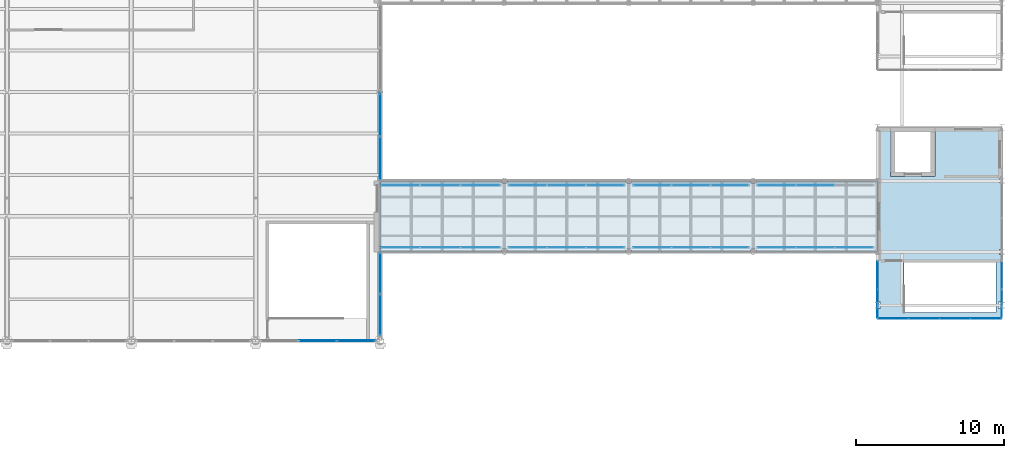
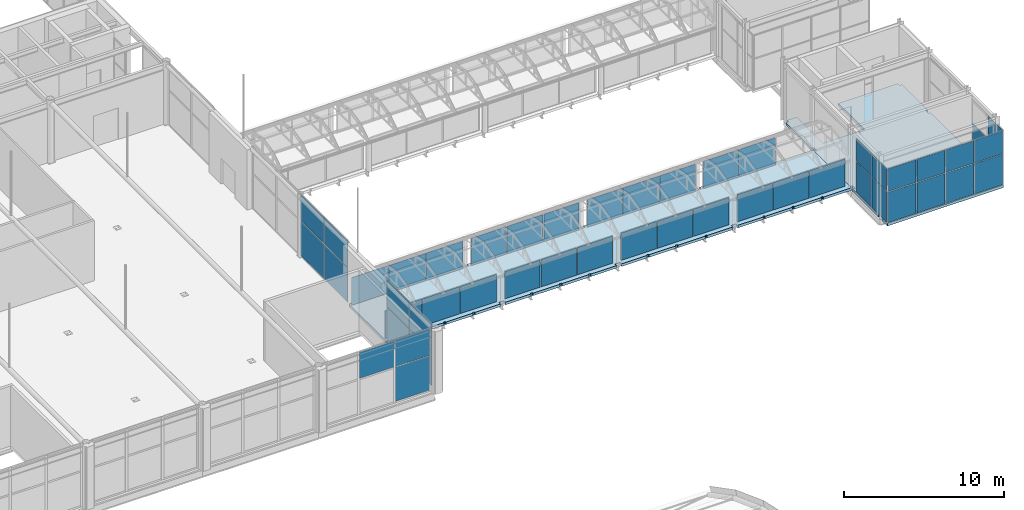
# One storey, part 143 of 167: 49 plates, 2 slabs, 14 elements without a shape of their own.
"""IFC4 building model written with IfcOpenShell, lengths in metres."""

import ifcopenshell
import ifcopenshell.guid

model = None  # the IFC model being written
_history = None  # IfcOwnerHistory: only IFC2X3 demands one
_inside = {}  # id of a spatial element -> (the spatial element, [elements in it])
_under = {}  # id of a project, library or spatial element -> (it, [spatial elements below it])
_declared = {}  # id of a project -> (the project, [libraries it declares])
_typed = {}  # id of a type object -> (the type object, [elements of that type])
_made_of = {}  # id of a material, layer set ... -> (it, [elements and type objects made of it])


def new_model(schema):
    """Start an empty IFC model of exactly this schema.

    Asked for "IFC4X3", IfcOpenShell would pick the latest addendum, in which some entities
    have other attributes; the version numbers below select the first issue.
    IFC2X3 requires an IfcOwnerHistory on every rooted entity: one is made here for all.
    """
    global model, _history
    if schema == "IFC4X3":
        model = ifcopenshell.file(schema_version=(4, 3, 0, 0))
    else:
        model = ifcopenshell.file(schema=schema)
    _inside.clear()
    _under.clear()
    _declared.clear()
    _typed.clear()
    _made_of.clear()
    _history = None
    if model.schema == "IFC2X3":
        org = make("IfcOrganization", Name="unknown")
        user = make(
            "IfcPersonAndOrganization",
            ThePerson=make("IfcPerson", FamilyName="unknown"),
            TheOrganization=org,
        )
        app = make(
            "IfcApplication",
            ApplicationDeveloper=org,
            Version="unknown",
            ApplicationFullName="unknown",
            ApplicationIdentifier="unknown",
        )
        _history = make(
            "IfcOwnerHistory",
            OwningUser=user,
            OwningApplication=app,
            ChangeAction="ADDED",
            CreationDate=0,
        )
    return model


def make(cls, **values):
    """One entity of the class cls with the attributes given. An attribute that is None is left unset."""
    return model.create_entity(
        cls, **{name: value for name, value in values.items() if value is not None}
    )


def rooted(cls, **values):
    """An entity with a GlobalId (a new one), such as an element, a storey or a relation."""
    return make(cls, GlobalId=ifcopenshell.guid.new(), OwnerHistory=_history, **values)


def si_unit(unit_type, name, prefix=None):
    """IfcSIUnit, for example si_unit("LENGTHUNIT", "METRE", prefix="MILLI")."""
    return make("IfcSIUnit", UnitType=unit_type, Prefix=prefix, Name=name)


def assignment(units):
    """IfcUnitAssignment: the units of a project."""
    return None if units is None else make("IfcUnitAssignment", Units=units)


def point(xyz):
    """IfcCartesianPoint."""
    return None if xyz is None else make("IfcCartesianPoint", Coordinates=xyz)


def direction(xyz):
    """IfcDirection."""
    return None if xyz is None else make("IfcDirection", DirectionRatios=xyz)


def frame(location, z_axis=None, x_axis=None):
    """IfcAxis2Placement3D, a coordinate frame: its origin and axes. An axis left out is left unset."""
    return make(
        "IfcAxis2Placement3D",
        Location=point(location),
        Axis=direction(z_axis),
        RefDirection=direction(x_axis),
    )


def frame_2d(location, x_axis=None):
    """IfcAxis2Placement2D, a coordinate frame in the plane: its origin and x axis."""
    return make(
        "IfcAxis2Placement2D", Location=point(location), RefDirection=direction(x_axis)
    )


def origin():
    """The frame at (0, 0, 0) with its axes left unset."""
    return frame((0.0, 0.0, 0.0))


def origin_2d():
    """The frame at (0, 0) in the plane with its x axis left unset."""
    return frame_2d((0.0, 0.0))


def place(relative_to, where):
    """IfcLocalPlacement: puts the frame where relative to a parent placement (None: the world)."""
    return make(
        "IfcLocalPlacement", PlacementRelTo=relative_to, RelativePlacement=where
    )


def context(
    kind, dimensions, precision=None, world=None, true_north=None, identifier=None
):
    """IfcGeometricRepresentationContext, for example the 3D "Model" context."""
    return make(
        "IfcGeometricRepresentationContext",
        ContextIdentifier=identifier,
        ContextType=kind,
        CoordinateSpaceDimension=dimensions,
        Precision=precision,
        WorldCoordinateSystem=world,
        TrueNorth=true_north,
    )


def subcontext(parent, identifier, kind, view, scale=None):
    """IfcGeometricRepresentationSubContext, for example "Body" below "Model"."""
    return make(
        "IfcGeometricRepresentationSubContext",
        ContextIdentifier=identifier,
        ContextType=kind,
        ParentContext=parent,
        TargetScale=scale,
        TargetView=view,
    )


def project(units=None, contexts=None):
    """IfcProject with its units and contexts."""
    return rooted(
        "IfcProject",
        Name="project",
        RepresentationContexts=contexts,
        UnitsInContext=assignment(units),
    )


def spatial(cls, under=None, at=None, **own):
    """A site, building, storey or space (cls), placed at a placement, below another one or the project."""
    s = rooted(cls, ObjectPlacement=at, **own)
    if under is not None:
        _under.setdefault(under.id(), (under, []))[1].append(s)
    return s


def polyline(points):
    """IfcPolyline through the points."""
    return make("IfcPolyline", Points=[point(p) for p in points])


def profile(cls, at=None, kind="AREA", **sizes):
    """A parametric profile (cls). Its sizes go by their IFC names, for example OverallWidth=200.0."""
    return make(cls, ProfileType=kind, Position=at, **sizes)


def rectangle(**sizes):
    """IfcRectangleProfileDef."""
    return profile("IfcRectangleProfileDef", **sizes)


def outline(outer, holes=None, kind="AREA"):
    """IfcArbitraryClosedProfileDef: a profile drawn as a closed curve; with holes, ...WithVoids."""
    if holes is None:
        return make("IfcArbitraryClosedProfileDef", ProfileType=kind, OuterCurve=outer)
    return make(
        "IfcArbitraryProfileDefWithVoids",
        ProfileType=kind,
        OuterCurve=outer,
        InnerCurves=holes,
    )


def extrude(swept, where, along, depth):
    """IfcExtrudedAreaSolid: the profile swept, set in the frame where, extruded along a direction by depth."""
    return make(
        "IfcExtrudedAreaSolid",
        SweptArea=swept,
        Position=where,
        ExtrudedDirection=direction(along),
        Depth=depth,
    )


def shape(context_of_items, identifier, shape_type, items):
    """IfcShapeRepresentation: the items that make up one representation, for example the "Body"."""
    return make(
        "IfcShapeRepresentation",
        ContextOfItems=context_of_items,
        RepresentationIdentifier=identifier,
        RepresentationType=shape_type,
        Items=items,
    )


def material(Name=None, Category=None):
    """IfcMaterial."""
    return make("IfcMaterial", Name=Name, Category=Category)


def layer(
    of_material, thickness, ventilated=None, Name=None, Category=None, Priority=None
):
    """IfcMaterialLayer: one layer of a wall or slab, of a material (None: an air gap)."""
    return make(
        "IfcMaterialLayer",
        Material=of_material,
        LayerThickness=thickness,
        IsVentilated=ventilated,
        Name=Name,
        Category=Category,
        Priority=Priority,
    )


def layer_set(layers, Name=None):
    """IfcMaterialLayerSet."""
    return make("IfcMaterialLayerSet", MaterialLayers=layers, LayerSetName=Name)


def made_of(thing, what):
    """Note that an element or type object is made of a material, layer set ...; save() writes the relation."""
    if what is not None:
        _made_of.setdefault(what.id(), (what, []))[1].append(thing)
    return thing


def type_object(cls, material=None, **own):
    """A type object (cls), such as IfcWallType, which elements share."""
    return made_of(rooted(cls, **own), material)


def element(
    cls,
    number,
    at=None,
    inside=None,
    cuts=None,
    type_object=None,
    material=None,
    context=None,
    identifier="Body",
    shape_type=None,
    held_by="IfcProductDefinitionShape",
    body=None,
    shapes=None,
    **own,
):
    """One element of the class cls, such as IfcWall. Its Tag is "e" and its number.

    at: its placement. inside: the storey or other place that contains it. cuts: it is an
    opening in that element (IfcRelVoidsElement). A single representation is given by context,
    identifier, shape_type and body (its items); several are given by shapes. held_by: the class
    of the entity that holds the representations. save() writes the other relations.
    """
    e = rooted(cls, Tag="e%d" % number, ObjectPlacement=at, **own)
    if body is not None:
        shapes = [shape(context, identifier, shape_type, body)]
    if shapes is not None:
        e.Representation = make(held_by, Representations=shapes)
    if inside is not None:
        _inside.setdefault(inside.id(), (inside, []))[1].append(e)
    if cuts is not None:
        rooted(
            "IfcRelVoidsElement", RelatingBuildingElement=cuts, RelatedOpeningElement=e
        )
    if type_object is not None:
        _typed.setdefault(type_object.id(), (type_object, []))[1].append(e)
    return made_of(e, material)


def aggregate(whole, parts):
    """IfcRelAggregates: a whole, such as a stair, and the parts it consists of."""
    return rooted("IfcRelAggregates", RelatingObject=whole, RelatedObjects=parts)


def save(model, path):
    """Write the relations noted so far, then the file.

    IfcRelAggregates (storeys below a building ...), IfcRelContainedInSpatialStructure (elements
    in a storey), IfcRelDefinesByType, IfcRelAssociatesMaterial and IfcRelDeclares: one each for
    every whole, place, type object, material and project.
    """
    for whole, parts in _under.values():
        aggregate(whole, parts)
    for where, things in _inside.values():
        rooted(
            "IfcRelContainedInSpatialStructure",
            RelatedElements=things,
            RelatingStructure=where,
        )
    for kind, things in _typed.values():
        rooted("IfcRelDefinesByType", RelatedObjects=things, RelatingType=kind)
    for what, things in _made_of.values():
        rooted("IfcRelAssociatesMaterial", RelatedObjects=things, RelatingMaterial=what)
    for by, libraries in _declared.values():
        rooted("IfcRelDeclares", RelatingContext=by, RelatedDefinitions=libraries)
    model.write(path)


model = new_model("IFC4")

# Units and contexts
model_context = context("Model", 3, precision=1e-05, world=origin(), true_north=direction((0.0, 1.0)))
body_context = subcontext(model_context, "Body", "Model", "MODEL_VIEW")
ifc_project = project(units=[si_unit("LENGTHUNIT", "METRE"), si_unit("AREAUNIT", "SQUARE_METRE"), si_unit("VOLUMEUNIT", "CUBIC_METRE"), si_unit("PLANEANGLEUNIT", "RADIAN"), si_unit("MASSUNIT", "GRAM", prefix="KILO")], contexts=[model_context])

# Site, building, storey
site_placement = place(None, origin())
site = spatial("IfcSite", under=ifc_project, at=site_placement, CompositionType="ELEMENT")
building_placement = place(site_placement, origin())
building = spatial("IfcBuilding", under=site, at=building_placement, Name="Catenary Quay Ferry Terminal", CompositionType="ELEMENT")
storey_placement = place(building_placement, frame((0.0, 0.0, 6.0)))
storey = spatial("IfcBuildingStorey", under=building, at=storey_placement, Name="L01", CompositionType="ELEMENT", Elevation=6.0)

# Slabs
ifc_material_1 = material(Name="Concrete C35/45", Category="concrete")
ifc_layer_1 = layer(ifc_material_1, 0.199951171875)
ifc_layer_set_1 = layer_set([ifc_layer_1], Name="Composite floor slab 200")
slab_type = type_object("IfcSlabType", Name="Composite floor slab 200", PredefinedType="FLOOR", material=ifc_layer_set_1)
slab_1_placement = place(storey_placement, frame((0.0, 0.0, -0.199951171875)))
element("IfcSlab", 1, at=slab_1_placement, inside=storey, type_object=slab_type, Name="Boarding bridge floor slab BB1", PredefinedType="FLOOR", context=body_context, shape_type="SweptSolid", body=[
    extrude(outline(polyline([(126.0, 78.0), (126.0, 73.199951171875), (123.967041015625, 73.199951171875), (123.967041015625, 73.26708984375), (123.8330078125, 73.26708984375), (123.8330078125, 73.199951171875), (121.866943359375, 73.199951171875), (121.866943359375, 73.26708984375), (121.73291015625, 73.26708984375), (121.73291015625, 73.199951171875), (119.76708984375, 73.199951171875), (119.76708984375, 73.26708984375), (119.633056640625, 73.26708984375), (119.633056640625, 73.199951171875), (117.787841796875, 73.199951171875), (117.787841796875, 73.3876953125), (117.412109375, 73.3876953125), (117.412109375, 73.199951171875), (115.56689453125, 73.199951171875), (115.56689453125, 73.26708984375), (115.43310546875, 73.26708984375), (115.43310546875, 73.199951171875), (113.467041015625, 73.199951171875), (113.467041015625, 73.26708984375), (113.3330078125, 73.26708984375), (113.3330078125, 73.199951171875), (111.366943359375, 73.199951171875), (111.366943359375, 73.26708984375), (111.23291015625, 73.26708984375), (111.23291015625, 73.199951171875), (109.3876953125, 73.199951171875), (109.3876953125, 73.3876953125), (109.01220703125, 73.3876953125), (109.01220703125, 73.199951171875), (107.1669921875, 73.199951171875), (107.1669921875, 73.26708984375), (107.032958984375, 73.26708984375), (107.032958984375, 73.199951171875), (105.06689453125, 73.199951171875), (105.06689453125, 73.26708984375), (104.93310546875, 73.26708984375), (104.93310546875, 73.199951171875), (102.967041015625, 73.199951171875), (102.967041015625, 73.26708984375), (102.8330078125, 73.26708984375), (102.8330078125, 73.199951171875), (100.98779296875, 73.199951171875), (100.98779296875, 73.3876953125), (100.6123046875, 73.3876953125), (100.6123046875, 73.199951171875), (98.76708984375, 73.199951171875), (98.76708984375, 73.26708984375), (98.633056640625, 73.26708984375), (98.633056640625, 73.199951171875), (96.6669921875, 73.199951171875), (96.6669921875, 73.26708984375), (96.532958984375, 73.26708984375), (96.532958984375, 73.199951171875), (94.56689453125, 73.199951171875), (94.56689453125, 73.26708984375), (94.43310546875, 73.26708984375), (94.43310546875, 73.199951171875), (92.467041015625, 73.199951171875), (92.467041015625, 73.26708984375), (92.39990234375, 73.26708984375), (92.39990234375, 77.93310546875), (92.467041015625, 77.93310546875), (92.467041015625, 78.0), (94.43310546875, 78.0), (94.43310546875, 77.93310546875), (94.56689453125, 77.93310546875), (94.56689453125, 78.0), (96.532958984375, 78.0), (96.532958984375, 77.93310546875), (96.6669921875, 77.93310546875), (96.6669921875, 78.0), (98.633056640625, 78.0), (98.633056640625, 77.93310546875), (98.76708984375, 77.93310546875), (98.76708984375, 78.0), (100.6123046875, 78.0), (100.6123046875, 77.812255859375), (100.98779296875, 77.812255859375), (100.98779296875, 78.0), (102.8330078125, 78.0), (102.8330078125, 77.93310546875), (102.967041015625, 77.93310546875), (102.967041015625, 78.0), (104.93310546875, 78.0), (104.93310546875, 77.93310546875), (105.06689453125, 77.93310546875), (105.06689453125, 78.0), (107.032958984375, 78.0), (107.032958984375, 77.93310546875), (107.1669921875, 77.93310546875), (107.1669921875, 78.0), (109.01220703125, 78.0), (109.01220703125, 77.812255859375), (109.3876953125, 77.812255859375), (109.3876953125, 78.0), (111.23291015625, 78.0), (111.23291015625, 77.93310546875), (111.366943359375, 77.93310546875), (111.366943359375, 78.0), (113.3330078125, 78.0), (113.3330078125, 77.93310546875), (113.467041015625, 77.93310546875), (113.467041015625, 78.0), (115.43310546875, 78.0), (115.43310546875, 77.93310546875), (115.56689453125, 77.93310546875), (115.56689453125, 78.0), (117.412109375, 78.0), (117.412109375, 77.812255859375), (117.787841796875, 77.812255859375), (117.787841796875, 78.0), (119.633056640625, 78.0), (119.633056640625, 77.93310546875), (119.76708984375, 77.93310546875), (119.76708984375, 78.0), (121.73291015625, 78.0), (121.73291015625, 77.93310546875), (121.866943359375, 77.93310546875), (121.866943359375, 78.0), (123.8330078125, 78.0), (123.8330078125, 77.93310546875), (123.967041015625, 77.93310546875), (123.967041015625, 78.0), (126.0, 78.0)])), origin(), (0.0, 0.0, 1.0), 0.199951171875),
])
slab_2_placement = place(storey_placement, frame((0.0, 0.0, -0.199951171875)))
element("IfcSlab", 2, at=slab_2_placement, inside=storey, type_object=slab_type, Name="Berth head house floor slab BH1", PredefinedType="FLOOR", context=body_context, shape_type="SweptSolid", body=[
    extrude(outline(polyline([(134.39990234375, 68.699951171875), (126.0, 68.699951171875), (126.0, 69.39501953125), (126.205078125, 69.39501953125), (126.205078125, 69.804931640625), (126.0, 69.804931640625), (126.0, 73.0400390625), (126.159912109375, 73.0400390625), (126.159912109375, 73.360107421875), (126.0, 73.360107421875), (126.0, 77.840087890625), (126.159912109375, 77.840087890625), (126.159912109375, 78.159912109375), (126.0, 78.159912109375), (126.0, 81.39501953125), (126.205078125, 81.39501953125), (126.205078125, 81.60009765625), (126.89990234375, 81.60009765625), (126.89990234375, 78.300048828125), (129.89990234375, 78.300048828125), (129.89990234375, 81.60009765625), (134.195068359375, 81.60009765625), (134.195068359375, 81.39501953125), (134.39990234375, 81.39501953125), (134.39990234375, 78.159912109375), (134.239990234375, 78.159912109375), (134.239990234375, 77.840087890625), (134.39990234375, 77.840087890625), (134.39990234375, 73.360107421875), (134.239990234375, 73.360107421875), (134.239990234375, 73.0400390625), (134.39990234375, 73.0400390625), (134.39990234375, 69.804931640625), (134.195068359375, 69.804931640625), (134.195068359375, 69.39501953125), (134.39990234375, 69.39501953125), (134.39990234375, 68.699951171875)]), holes=[polyline([(134.0, 72.5), (127.800048828125, 72.5), (127.800048828125, 69.10009765625), (134.0, 69.10009765625), (134.0, 72.5)])]), origin(), (0.0, 0.0, 1.0), 0.199951171875),
])

# Curtain wall, plates
ifc_material_2 = material(Name="Aluminium and glass", Category="aluminium")
curtain_wall_type_1 = type_object("IfcCurtainWallType", Name="CWM", PredefinedType="NOTDEFINED", material=ifc_material_2)
curtain_wall_1_placement = place(storey_placement, origin())
curtain_wall_1 = element("IfcCurtainWall", 3, at=curtain_wall_1_placement, inside=storey, type_object=curtain_wall_type_1, Name="Gable arrivals hall curtain wall CW9", PredefinedType="NOTDEFINED")
ifc_material_3 = material(Name="Glass", Category="glass")
ifc_layer_2 = layer(ifc_material_3, 0.031982421875)
ifc_layer_set_2 = layer_set([ifc_layer_2], Name="PN1")
plate_type_1 = type_object("IfcPlateType", Name="PN1", PredefinedType="CURTAIN_PANEL", material=ifc_layer_set_2)
plate_1_placement = place(storey_placement, frame((92.39990234375, 68.9423828125, 0.06005859375), z_axis=(0.0, 0.0, 1.0), x_axis=(0.0, 1.0, 0.0)))
plate_1 = element("IfcPlate", 4, at=plate_1_placement, type_object=plate_type_1, Name="CW9 panel 1.1", PredefinedType="CURTAIN_PANEL", context=body_context, shape_type="SweptSolid", body=[
    extrude(rectangle(XDim=2.7451171875, YDim=0.031982421875, at=origin_2d()), origin(), (0.0, 0.0, 1.0), 2.610107421875),
])
plate_2_placement = place(storey_placement, frame((92.39990234375, 68.9423828125, 2.72998046875), z_axis=(0.0, 0.0, 1.0), x_axis=(0.0, 1.0, 0.0)))
plate_2 = element("IfcPlate", 5, at=plate_2_placement, type_object=plate_type_1, Name="CW9 panel 1.2", PredefinedType="CURTAIN_PANEL", context=body_context, shape_type="SweptSolid", body=[
    extrude(rectangle(XDim=2.7451171875, YDim=0.031982421875, at=origin_2d()), origin(), (0.0, 0.0, 1.0), 2.010009765625),
])
plate_3_placement = place(storey_placement, frame((92.39990234375, 71.757568359375, 0.06005859375), z_axis=(0.0, 0.0, 1.0), x_axis=(0.0, 1.0, 0.0)))
plate_3 = element("IfcPlate", 6, at=plate_3_placement, type_object=plate_type_1, Name="CW9 panel 2.1", PredefinedType="CURTAIN_PANEL", context=body_context, shape_type="SweptSolid", body=[
    extrude(rectangle(XDim=2.7451171875, YDim=0.031982421875, at=origin_2d()), origin(), (0.0, 0.0, 1.0), 2.610107421875),
])
plate_4_placement = place(storey_placement, frame((92.39990234375, 71.757568359375, 2.72998046875), z_axis=(0.0, 0.0, 1.0), x_axis=(0.0, 1.0, 0.0)))
plate_4 = element("IfcPlate", 7, at=plate_4_placement, type_object=plate_type_1, Name="CW9 panel 2.2", PredefinedType="CURTAIN_PANEL", context=body_context, shape_type="SweptSolid", body=[
    extrude(rectangle(XDim=2.7451171875, YDim=0.031982421875, at=origin_2d()), origin(), (0.0, 0.0, 1.0), 2.010009765625),
])
aggregate(curtain_wall_1, [plate_1, plate_2, plate_3, plate_4])

curtain_wall_2_placement = place(storey_placement, origin())
curtain_wall_2 = element("IfcCurtainWall", 8, at=curtain_wall_2_placement, inside=storey, type_object=curtain_wall_type_1, Name="Gable arrivals hall curtain wall CW10", PredefinedType="NOTDEFINED")
plate_5_placement = place(storey_placement, frame((92.39990234375, 79.517578125, 0.06005859375), z_axis=(0.0, 0.0, 1.0), x_axis=(0.0, 1.0, 0.0)))
plate_5 = element("IfcPlate", 9, at=plate_5_placement, type_object=plate_type_1, Name="CW10 panel 1.1", PredefinedType="CURTAIN_PANEL", context=body_context, shape_type="SweptSolid", body=[
    extrude(rectangle(XDim=2.89501953125, YDim=0.031982421875, at=origin_2d()), origin(), (0.0, 0.0, 1.0), 2.610107421875),
])
plate_6_placement = place(storey_placement, frame((92.39990234375, 79.517578125, 2.72998046875), z_axis=(0.0, 0.0, 1.0), x_axis=(0.0, 1.0, 0.0)))
plate_6 = element("IfcPlate", 10, at=plate_6_placement, type_object=plate_type_1, Name="CW10 panel 1.2", PredefinedType="CURTAIN_PANEL", context=body_context, shape_type="SweptSolid", body=[
    extrude(rectangle(XDim=2.89501953125, YDim=0.031982421875, at=origin_2d()), origin(), (0.0, 0.0, 1.0), 2.010009765625),
])
plate_7_placement = place(storey_placement, frame((92.39990234375, 82.5, 0.06005859375), z_axis=(0.0, 0.0, 1.0), x_axis=(0.0, 1.0, 0.0)))
plate_7 = element("IfcPlate", 11, at=plate_7_placement, type_object=plate_type_1, Name="CW10 panel 2.1", PredefinedType="CURTAIN_PANEL", context=body_context, shape_type="SweptSolid", body=[
    extrude(rectangle(XDim=2.929931640625, YDim=0.031982421875, at=origin_2d()), origin(), (0.0, 0.0, 1.0), 2.610107421875),
])
plate_8_placement = place(storey_placement, frame((92.39990234375, 82.5, 2.72998046875), z_axis=(0.0, 0.0, 1.0), x_axis=(0.0, 1.0, 0.0)))
plate_8 = element("IfcPlate", 12, at=plate_8_placement, type_object=plate_type_1, Name="CW10 panel 2.2", PredefinedType="CURTAIN_PANEL", context=body_context, shape_type="SweptSolid", body=[
    extrude(rectangle(XDim=2.929931640625, YDim=0.031982421875, at=origin_2d()), origin(), (0.0, 0.0, 1.0), 2.010009765625),
])
aggregate(curtain_wall_2, [plate_5, plate_6, plate_7, plate_8])

ifc_material_4 = material(Name="Aluminium and glass", Category="aluminium")
curtain_wall_type_2 = type_object("IfcCurtainWallType", Name="CWH", PredefinedType="NOTDEFINED", material=ifc_material_4)
curtain_wall_3_placement = place(storey_placement, origin())
curtain_wall_3 = element("IfcCurtainWall", 13, at=curtain_wall_3_placement, inside=storey, type_object=curtain_wall_type_2, Name="Hall curtain wall CW39", PredefinedType="NOTDEFINED")
ifc_material_5 = material(Name="Glass", Category="glass")
ifc_layer_3 = layer(ifc_material_5, 0.0400390625)
ifc_layer_set_3 = layer_set([ifc_layer_3], Name="PN2")
plate_type_2 = type_object("IfcPlateType", Name="PN2", PredefinedType="CURTAIN_PANEL", material=ifc_layer_set_3)
plate_9_placement = place(storey_placement, frame((88.199951171875, 67.199951171875, 2.72998046875), z_axis=(0.0, 0.0, 1.0), x_axis=(1.0, 0.0, 0.0)))
plate_9 = element("IfcPlate", 14, at=plate_9_placement, type_object=plate_type_2, Name="CW39 panel 2.2", PredefinedType="CURTAIN_PANEL", context=body_context, shape_type="SweptSolid", body=[
    extrude(rectangle(XDim=2.530029296875, YDim=0.0400390625, at=origin_2d()), origin(), (0.0, 0.0, 1.0), 2.010009765625),
])
plate_10_placement = place(storey_placement, frame((90.782470703125, 67.199951171875, 0.06005859375), z_axis=(0.0, 0.0, 1.0), x_axis=(1.0, 0.0, 0.0)))
plate_10 = element("IfcPlate", 15, at=plate_10_placement, type_object=plate_type_2, Name="CW39 panel 3.1", PredefinedType="CURTAIN_PANEL", context=body_context, shape_type="SweptSolid", body=[
    extrude(rectangle(XDim=2.4951171875, YDim=0.0400390625, at=origin_2d()), origin(), (0.0, 0.0, 1.0), 2.610107421875),
])
plate_11_placement = place(storey_placement, frame((90.782470703125, 67.199951171875, 2.72998046875), z_axis=(0.0, 0.0, 1.0), x_axis=(1.0, 0.0, 0.0)))
plate_11 = element("IfcPlate", 16, at=plate_11_placement, type_object=plate_type_2, Name="CW39 panel 3.2", PredefinedType="CURTAIN_PANEL", context=body_context, shape_type="SweptSolid", body=[
    extrude(rectangle(XDim=2.4951171875, YDim=0.0400390625, at=origin_2d()), origin(), (0.0, 0.0, 1.0), 2.010009765625),
])
aggregate(curtain_wall_3, [plate_9, plate_10, plate_11])

ifc_material_6 = material(Name="Aluminium and glass", Category="aluminium")
curtain_wall_type_3 = type_object("IfcCurtainWallType", Name="CWK", PredefinedType="NOTDEFINED", material=ifc_material_6)
curtain_wall_4_placement = place(storey_placement, origin())
curtain_wall_4 = element("IfcCurtainWall", 17, at=curtain_wall_4_placement, inside=storey, type_object=curtain_wall_type_3, Name="Head berth 1 stair curtain wall CW80", PredefinedType="NOTDEFINED")
ifc_material_7 = material(Name="Glass", Category="glass")
ifc_layer_4 = layer(ifc_material_7, 0.02490234375)
ifc_layer_set_4 = layer_set([ifc_layer_4], Name="PN3")
plate_type_3 = type_object("IfcPlateType", Name="PN3", PredefinedType="CURTAIN_PANEL", material=ifc_layer_set_4)
plate_12_placement = place(storey_placement, frame((127.0625, 68.699951171875, 0.0498046875), z_axis=(0.0, 0.0, 1.0), x_axis=(1.0, 0.0, 0.0)))
plate_12 = element("IfcPlate", 18, at=plate_12_placement, type_object=plate_type_3, Name="CW80 panel 1.1", PredefinedType="CURTAIN_PANEL", context=body_context, shape_type="SweptSolid", body=[
    extrude(rectangle(XDim=2.02490234375, YDim=0.02490234375, at=origin_2d()), origin(), (0.0, 0.0, 1.0), 2.324951171875),
])
plate_13_placement = place(storey_placement, frame((127.0625, 68.699951171875, 2.425048828125), z_axis=(0.0, 0.0, 1.0), x_axis=(1.0, 0.0, 0.0)))
plate_13 = element("IfcPlate", 19, at=plate_13_placement, type_object=plate_type_3, Name="CW80 panel 1.2", PredefinedType="CURTAIN_PANEL", context=body_context, shape_type="SweptSolid", body=[
    extrude(rectangle(XDim=2.02490234375, YDim=0.02490234375, at=origin_2d()), origin(), (0.0, 0.0, 1.0), 1.72509765625),
])
plate_14_placement = place(storey_placement, frame((129.14990234375, 68.699951171875, 0.0498046875), z_axis=(0.0, 0.0, 1.0), x_axis=(1.0, 0.0, 0.0)))
plate_14 = element("IfcPlate", 20, at=plate_14_placement, type_object=plate_type_3, Name="CW80 panel 2.1", PredefinedType="CURTAIN_PANEL", context=body_context, shape_type="SweptSolid", body=[
    extrude(rectangle(XDim=2.050048828125, YDim=0.02490234375, at=origin_2d()), origin(), (0.0, 0.0, 1.0), 2.324951171875),
])
plate_15_placement = place(storey_placement, frame((129.14990234375, 68.699951171875, 2.425048828125), z_axis=(0.0, 0.0, 1.0), x_axis=(1.0, 0.0, 0.0)))
plate_15 = element("IfcPlate", 21, at=plate_15_placement, type_object=plate_type_3, Name="CW80 panel 2.2", PredefinedType="CURTAIN_PANEL", context=body_context, shape_type="SweptSolid", body=[
    extrude(rectangle(XDim=2.050048828125, YDim=0.02490234375, at=origin_2d()), origin(), (0.0, 0.0, 1.0), 1.72509765625),
])
plate_16_placement = place(storey_placement, frame((131.25, 68.699951171875, 0.0498046875), z_axis=(0.0, 0.0, 1.0), x_axis=(1.0, 0.0, 0.0)))
plate_16 = element("IfcPlate", 22, at=plate_16_placement, type_object=plate_type_3, Name="CW80 panel 3.1", PredefinedType="CURTAIN_PANEL", context=body_context, shape_type="SweptSolid", body=[
    extrude(rectangle(XDim=2.050048828125, YDim=0.02490234375, at=origin_2d()), origin(), (0.0, 0.0, 1.0), 2.324951171875),
])
plate_17_placement = place(storey_placement, frame((131.25, 68.699951171875, 2.425048828125), z_axis=(0.0, 0.0, 1.0), x_axis=(1.0, 0.0, 0.0)))
plate_17 = element("IfcPlate", 23, at=plate_17_placement, type_object=plate_type_3, Name="CW80 panel 3.2", PredefinedType="CURTAIN_PANEL", context=body_context, shape_type="SweptSolid", body=[
    extrude(rectangle(XDim=2.050048828125, YDim=0.02490234375, at=origin_2d()), origin(), (0.0, 0.0, 1.0), 1.72509765625),
])
plate_18_placement = place(storey_placement, frame((133.33740234375, 68.699951171875, 0.0498046875), z_axis=(0.0, 0.0, 1.0), x_axis=(1.0, 0.0, 0.0)))
plate_18 = element("IfcPlate", 24, at=plate_18_placement, type_object=plate_type_3, Name="CW80 panel 4.1", PredefinedType="CURTAIN_PANEL", context=body_context, shape_type="SweptSolid", body=[
    extrude(rectangle(XDim=2.02490234375, YDim=0.02490234375, at=origin_2d()), origin(), (0.0, 0.0, 1.0), 2.324951171875),
])
plate_19_placement = place(storey_placement, frame((133.33740234375, 68.699951171875, 2.425048828125), z_axis=(0.0, 0.0, 1.0), x_axis=(1.0, 0.0, 0.0)))
plate_19 = element("IfcPlate", 25, at=plate_19_placement, type_object=plate_type_3, Name="CW80 panel 4.2", PredefinedType="CURTAIN_PANEL", context=body_context, shape_type="SweptSolid", body=[
    extrude(rectangle(XDim=2.02490234375, YDim=0.02490234375, at=origin_2d()), origin(), (0.0, 0.0, 1.0), 1.72509765625),
])
aggregate(curtain_wall_4, [plate_12, plate_13, plate_14, plate_15, plate_16, plate_17, plate_18, plate_19])

curtain_wall_5_placement = place(storey_placement, origin())
curtain_wall_5 = element("IfcCurtainWall", 26, at=curtain_wall_5_placement, inside=storey, type_object=curtain_wall_type_3, Name="Head berth 1 stair curtain wall CW81", PredefinedType="NOTDEFINED")
plate_20_placement = place(storey_placement, frame((134.39990234375, 69.6875, 0.0498046875), z_axis=(0.0, 0.0, 1.0), x_axis=(0.0, 1.0, 0.0)))
plate_20 = element("IfcPlate", 27, at=plate_20_placement, type_object=plate_type_3, Name="CW81 panel 1.1", PredefinedType="CURTAIN_PANEL", context=body_context, shape_type="SweptSolid", body=[
    extrude(rectangle(XDim=1.875, YDim=0.02490234375, at=origin_2d()), origin(), (0.0, 0.0, 1.0), 2.324951171875),
])
plate_21_placement = place(storey_placement, frame((134.39990234375, 69.6875, 2.425048828125), z_axis=(0.0, 0.0, 1.0), x_axis=(0.0, 1.0, 0.0)))
plate_21 = element("IfcPlate", 28, at=plate_21_placement, type_object=plate_type_3, Name="CW81 panel 1.2", PredefinedType="CURTAIN_PANEL", context=body_context, shape_type="SweptSolid", body=[
    extrude(rectangle(XDim=1.875, YDim=0.02490234375, at=origin_2d()), origin(), (0.0, 0.0, 1.0), 1.72509765625),
])
plate_22_placement = place(storey_placement, frame((134.39990234375, 71.612548828125, 0.0498046875), z_axis=(0.0, 0.0, 1.0), x_axis=(0.0, 1.0, 0.0)))
plate_22 = element("IfcPlate", 29, at=plate_22_placement, type_object=plate_type_3, Name="CW81 panel 2.1", PredefinedType="CURTAIN_PANEL", context=body_context, shape_type="SweptSolid", body=[
    extrude(rectangle(XDim=1.875, YDim=0.02490234375, at=origin_2d()), origin(), (0.0, 0.0, 1.0), 2.324951171875),
])
aggregate(curtain_wall_5, [plate_20, plate_21, plate_22])

curtain_wall_6_placement = place(storey_placement, origin())
curtain_wall_6 = element("IfcCurtainWall", 30, at=curtain_wall_6_placement, inside=storey, type_object=curtain_wall_type_3, Name="Head berth 1 stair curtain wall CW82", PredefinedType="NOTDEFINED")
plate_23_placement = place(storey_placement, frame((126.0, 69.6875, 0.0498046875), z_axis=(0.0, 0.0, 1.0), x_axis=(0.0, 1.0, 0.0)))
plate_23 = element("IfcPlate", 31, at=plate_23_placement, type_object=plate_type_3, Name="CW82 panel 1.1", PredefinedType="CURTAIN_PANEL", context=body_context, shape_type="SweptSolid", body=[
    extrude(rectangle(XDim=1.875, YDim=0.02490234375, at=origin_2d()), origin(), (0.0, 0.0, 1.0), 2.324951171875),
])
plate_24_placement = place(storey_placement, frame((126.0, 69.6875, 2.425048828125), z_axis=(0.0, 0.0, 1.0), x_axis=(0.0, 1.0, 0.0)))
plate_24 = element("IfcPlate", 32, at=plate_24_placement, type_object=plate_type_3, Name="CW82 panel 1.2", PredefinedType="CURTAIN_PANEL", context=body_context, shape_type="SweptSolid", body=[
    extrude(rectangle(XDim=1.875, YDim=0.02490234375, at=origin_2d()), origin(), (0.0, 0.0, 1.0), 1.72509765625),
])
plate_25_placement = place(storey_placement, frame((126.0, 71.612548828125, 0.0498046875), z_axis=(0.0, 0.0, 1.0), x_axis=(0.0, 1.0, 0.0)))
plate_25 = element("IfcPlate", 33, at=plate_25_placement, type_object=plate_type_3, Name="CW82 panel 2.1", PredefinedType="CURTAIN_PANEL", context=body_context, shape_type="SweptSolid", body=[
    extrude(rectangle(XDim=1.875, YDim=0.02490234375, at=origin_2d()), origin(), (0.0, 0.0, 1.0), 2.324951171875),
])
plate_26_placement = place(storey_placement, frame((126.0, 71.612548828125, 2.425048828125), z_axis=(0.0, 0.0, 1.0), x_axis=(0.0, 1.0, 0.0)))
plate_26 = element("IfcPlate", 34, at=plate_26_placement, type_object=plate_type_3, Name="CW82 panel 2.2", PredefinedType="CURTAIN_PANEL", context=body_context, shape_type="SweptSolid", body=[
    extrude(rectangle(XDim=1.875, YDim=0.02490234375, at=origin_2d()), origin(), (0.0, 0.0, 1.0), 1.72509765625),
])
aggregate(curtain_wall_6, [plate_23, plate_24, plate_25, plate_26])

ifc_material_8 = material(Name="Aluminium and glass", Category="aluminium")
curtain_wall_type_4 = type_object("IfcCurtainWallType", Name="CWB", PredefinedType="NOTDEFINED", material=ifc_material_8)
curtain_wall_7_placement = place(storey_placement, origin())
curtain_wall_7 = element("IfcCurtainWall", 35, at=curtain_wall_7_placement, inside=storey, type_object=curtain_wall_type_4, Name="BB1 curtain wall CW56", PredefinedType="NOTDEFINED")
ifc_material_9 = material(Name="Ceramic tile facing on insulated backing")
ifc_layer_5 = layer(ifc_material_9, 0.050048828125)
ifc_layer_set_5 = layer_set([ifc_layer_5], Name="PN8")
plate_type_4 = type_object("IfcPlateType", Name="PN8", PredefinedType="CURTAIN_PANEL", material=ifc_layer_set_5)
plate_27_placement = place(storey_placement, frame((93.770751953125, 73.5, 0.0498046875), z_axis=(0.0, 0.0, 1.0), x_axis=(1.0, 0.0, 0.0)))
plate_27 = element("IfcPlate", 36, at=plate_27_placement, type_object=plate_type_4, Name="CW56 panel 1.1", PredefinedType="CURTAIN_PANEL", context=body_context, shape_type="SweptSolid", body=[
    extrude(rectangle(XDim=2.6416015625, YDim=0.050048828125, at=origin_2d()), origin(), (0.0, 0.0, 1.0), 2.094970703125),
])
plate_28_placement = place(storey_placement, frame((96.47509765625, 73.5, 0.0498046875), z_axis=(0.0, 0.0, 1.0), x_axis=(1.0, 0.0, 0.0)))
plate_28 = element("IfcPlate", 37, at=plate_28_placement, type_object=plate_type_4, Name="CW56 panel 2.1", PredefinedType="CURTAIN_PANEL", context=body_context, shape_type="SweptSolid", body=[
    extrude(rectangle(XDim=2.666748046875, YDim=0.050048828125, at=origin_2d()), origin(), (0.0, 0.0, 1.0), 2.094970703125),
])
plate_29_placement = place(storey_placement, frame((99.17919921875, 73.5, 0.0498046875), z_axis=(0.0, 0.0, 1.0), x_axis=(1.0, 0.0, 0.0)))
plate_29 = element("IfcPlate", 38, at=plate_29_placement, type_object=plate_type_4, Name="CW56 panel 3.1", PredefinedType="CURTAIN_PANEL", context=body_context, shape_type="SweptSolid", body=[
    extrude(rectangle(XDim=2.6416015625, YDim=0.050048828125, at=origin_2d()), origin(), (0.0, 0.0, 1.0), 2.094970703125),
])
aggregate(curtain_wall_7, [plate_27, plate_28, plate_29])

curtain_wall_8_placement = place(storey_placement, origin())
curtain_wall_8 = element("IfcCurtainWall", 39, at=curtain_wall_8_placement, inside=storey, type_object=curtain_wall_type_4, Name="BB1 curtain wall CW57", PredefinedType="NOTDEFINED")
plate_30_placement = place(storey_placement, frame((102.379150390625, 73.5, 0.0498046875), z_axis=(0.0, 0.0, 1.0), x_axis=(1.0, 0.0, 0.0)))
plate_30 = element("IfcPlate", 40, at=plate_30_placement, type_object=plate_type_4, Name="CW57 panel 1.1", PredefinedType="CURTAIN_PANEL", context=body_context, shape_type="SweptSolid", body=[
    extrude(rectangle(XDim=2.558349609375, YDim=0.050048828125, at=origin_2d()), origin(), (0.0, 0.0, 1.0), 2.094970703125),
])
plate_31_placement = place(storey_placement, frame((105.0, 73.5, 0.0498046875), z_axis=(0.0, 0.0, 1.0), x_axis=(1.0, 0.0, 0.0)))
plate_31 = element("IfcPlate", 41, at=plate_31_placement, type_object=plate_type_4, Name="CW57 panel 2.1", PredefinedType="CURTAIN_PANEL", context=body_context, shape_type="SweptSolid", body=[
    extrude(rectangle(XDim=2.583251953125, YDim=0.050048828125, at=origin_2d()), origin(), (0.0, 0.0, 1.0), 2.094970703125),
])
plate_32_placement = place(storey_placement, frame((107.620849609375, 73.5, 0.0498046875), z_axis=(0.0, 0.0, 1.0), x_axis=(1.0, 0.0, 0.0)))
plate_32 = element("IfcPlate", 42, at=plate_32_placement, type_object=plate_type_4, Name="CW57 panel 3.1", PredefinedType="CURTAIN_PANEL", context=body_context, shape_type="SweptSolid", body=[
    extrude(rectangle(XDim=2.558349609375, YDim=0.050048828125, at=origin_2d()), origin(), (0.0, 0.0, 1.0), 2.094970703125),
])
aggregate(curtain_wall_8, [plate_30, plate_31, plate_32])

curtain_wall_9_placement = place(storey_placement, origin())
curtain_wall_9 = element("IfcCurtainWall", 43, at=curtain_wall_9_placement, inside=storey, type_object=curtain_wall_type_4, Name="BB1 curtain wall CW58", PredefinedType="NOTDEFINED")
plate_33_placement = place(storey_placement, frame((110.779052734375, 73.5, 0.0498046875), z_axis=(0.0, 0.0, 1.0), x_axis=(1.0, 0.0, 0.0)))
plate_33 = element("IfcPlate", 44, at=plate_33_placement, type_object=plate_type_4, Name="CW58 panel 1.1", PredefinedType="CURTAIN_PANEL", context=body_context, shape_type="SweptSolid", body=[
    extrude(rectangle(XDim=2.558349609375, YDim=0.050048828125, at=origin_2d()), origin(), (0.0, 0.0, 1.0), 2.094970703125),
])
plate_34_placement = place(storey_placement, frame((113.39990234375, 73.5, 0.0498046875), z_axis=(0.0, 0.0, 1.0), x_axis=(1.0, 0.0, 0.0)))
plate_34 = element("IfcPlate", 45, at=plate_34_placement, type_object=plate_type_4, Name="CW58 panel 2.1", PredefinedType="CURTAIN_PANEL", context=body_context, shape_type="SweptSolid", body=[
    extrude(rectangle(XDim=2.583251953125, YDim=0.050048828125, at=origin_2d()), origin(), (0.0, 0.0, 1.0), 2.094970703125),
])
plate_35_placement = place(storey_placement, frame((116.020751953125, 73.5, 0.0498046875), z_axis=(0.0, 0.0, 1.0), x_axis=(1.0, 0.0, 0.0)))
plate_35 = element("IfcPlate", 46, at=plate_35_placement, type_object=plate_type_4, Name="CW58 panel 3.1", PredefinedType="CURTAIN_PANEL", context=body_context, shape_type="SweptSolid", body=[
    extrude(rectangle(XDim=2.558349609375, YDim=0.050048828125, at=origin_2d()), origin(), (0.0, 0.0, 1.0), 2.094970703125),
])
aggregate(curtain_wall_9, [plate_33, plate_34, plate_35])

curtain_wall_10_placement = place(storey_placement, origin())
curtain_wall_10 = element("IfcCurtainWall", 47, at=curtain_wall_10_placement, inside=storey, type_object=curtain_wall_type_4, Name="BB1 curtain wall CW59", PredefinedType="NOTDEFINED")
plate_36_placement = place(storey_placement, frame((119.17919921875, 73.5, 0.0498046875), z_axis=(0.0, 0.0, 1.0), x_axis=(1.0, 0.0, 0.0)))
plate_36 = element("IfcPlate", 48, at=plate_36_placement, type_object=plate_type_4, Name="CW59 panel 1.1", PredefinedType="CURTAIN_PANEL", context=body_context, shape_type="SweptSolid", body=[
    extrude(rectangle(XDim=2.558349609375, YDim=0.050048828125, at=origin_2d()), origin(), (0.0, 0.0, 1.0), 2.094970703125),
])
plate_37_placement = place(storey_placement, frame((121.800048828125, 73.5, 0.0498046875), z_axis=(0.0, 0.0, 1.0), x_axis=(1.0, 0.0, 0.0)))
plate_37 = element("IfcPlate", 49, at=plate_37_placement, type_object=plate_type_4, Name="CW59 panel 2.1", PredefinedType="CURTAIN_PANEL", context=body_context, shape_type="SweptSolid", body=[
    extrude(rectangle(XDim=2.583251953125, YDim=0.050048828125, at=origin_2d()), origin(), (0.0, 0.0, 1.0), 2.094970703125),
])
plate_38_placement = place(storey_placement, frame((124.4208984375, 73.5, 0.0498046875), z_axis=(0.0, 0.0, 1.0), x_axis=(1.0, 0.0, 0.0)))
plate_38 = element("IfcPlate", 50, at=plate_38_placement, type_object=plate_type_4, Name="CW59 panel 3.1", PredefinedType="CURTAIN_PANEL", context=body_context, shape_type="SweptSolid", body=[
    extrude(rectangle(XDim=2.558349609375, YDim=0.050048828125, at=origin_2d()), origin(), (0.0, 0.0, 1.0), 2.094970703125),
])
aggregate(curtain_wall_10, [plate_36, plate_37, plate_38])

curtain_wall_11_placement = place(storey_placement, origin())
curtain_wall_11 = element("IfcCurtainWall", 51, at=curtain_wall_11_placement, inside=storey, type_object=curtain_wall_type_4, Name="BB1 curtain wall CW60", PredefinedType="NOTDEFINED")
plate_39_placement = place(storey_placement, frame((93.770751953125, 77.699951171875, 0.0498046875), z_axis=(0.0, 0.0, 1.0), x_axis=(1.0, 0.0, 0.0)))
plate_39 = element("IfcPlate", 52, at=plate_39_placement, type_object=plate_type_4, Name="CW60 panel 1.1", PredefinedType="CURTAIN_PANEL", context=body_context, shape_type="SweptSolid", body=[
    extrude(rectangle(XDim=2.6416015625, YDim=0.050048828125, at=origin_2d()), origin(), (0.0, 0.0, 1.0), 2.094970703125),
])
plate_40_placement = place(storey_placement, frame((96.47509765625, 77.699951171875, 0.0498046875), z_axis=(0.0, 0.0, 1.0), x_axis=(1.0, 0.0, 0.0)))
plate_40 = element("IfcPlate", 53, at=plate_40_placement, type_object=plate_type_4, Name="CW60 panel 2.1", PredefinedType="CURTAIN_PANEL", context=body_context, shape_type="SweptSolid", body=[
    extrude(rectangle(XDim=2.666748046875, YDim=0.050048828125, at=origin_2d()), origin(), (0.0, 0.0, 1.0), 2.094970703125),
])
plate_41_placement = place(storey_placement, frame((99.17919921875, 77.699951171875, 0.0498046875), z_axis=(0.0, 0.0, 1.0), x_axis=(1.0, 0.0, 0.0)))
plate_41 = element("IfcPlate", 54, at=plate_41_placement, type_object=plate_type_4, Name="CW60 panel 3.1", PredefinedType="CURTAIN_PANEL", context=body_context, shape_type="SweptSolid", body=[
    extrude(rectangle(XDim=2.6416015625, YDim=0.050048828125, at=origin_2d()), origin(), (0.0, 0.0, 1.0), 2.094970703125),
])
aggregate(curtain_wall_11, [plate_39, plate_40, plate_41])

curtain_wall_12_placement = place(storey_placement, origin())
curtain_wall_12 = element("IfcCurtainWall", 55, at=curtain_wall_12_placement, inside=storey, type_object=curtain_wall_type_4, Name="BB1 curtain wall CW61", PredefinedType="NOTDEFINED")
plate_42_placement = place(storey_placement, frame((102.379150390625, 77.699951171875, 0.0498046875), z_axis=(0.0, 0.0, 1.0), x_axis=(1.0, 0.0, 0.0)))
plate_42 = element("IfcPlate", 56, at=plate_42_placement, type_object=plate_type_4, Name="CW61 panel 1.1", PredefinedType="CURTAIN_PANEL", context=body_context, shape_type="SweptSolid", body=[
    extrude(rectangle(XDim=2.558349609375, YDim=0.050048828125, at=origin_2d()), origin(), (0.0, 0.0, 1.0), 2.094970703125),
])
plate_43_placement = place(storey_placement, frame((105.0, 77.699951171875, 0.0498046875), z_axis=(0.0, 0.0, 1.0), x_axis=(1.0, 0.0, 0.0)))
plate_43 = element("IfcPlate", 57, at=plate_43_placement, type_object=plate_type_4, Name="CW61 panel 2.1", PredefinedType="CURTAIN_PANEL", context=body_context, shape_type="SweptSolid", body=[
    extrude(rectangle(XDim=2.583251953125, YDim=0.050048828125, at=origin_2d()), origin(), (0.0, 0.0, 1.0), 2.094970703125),
])
plate_44_placement = place(storey_placement, frame((107.620849609375, 77.699951171875, 0.0498046875), z_axis=(0.0, 0.0, 1.0), x_axis=(1.0, 0.0, 0.0)))
plate_44 = element("IfcPlate", 58, at=plate_44_placement, type_object=plate_type_4, Name="CW61 panel 3.1", PredefinedType="CURTAIN_PANEL", context=body_context, shape_type="SweptSolid", body=[
    extrude(rectangle(XDim=2.558349609375, YDim=0.050048828125, at=origin_2d()), origin(), (0.0, 0.0, 1.0), 2.094970703125),
])
aggregate(curtain_wall_12, [plate_42, plate_43, plate_44])

curtain_wall_13_placement = place(storey_placement, origin())
curtain_wall_13 = element("IfcCurtainWall", 59, at=curtain_wall_13_placement, inside=storey, type_object=curtain_wall_type_4, Name="BB1 curtain wall CW62", PredefinedType="NOTDEFINED")
plate_45_placement = place(storey_placement, frame((110.779052734375, 77.699951171875, 0.0498046875), z_axis=(0.0, 0.0, 1.0), x_axis=(1.0, 0.0, 0.0)))
plate_45 = element("IfcPlate", 60, at=plate_45_placement, type_object=plate_type_4, Name="CW62 panel 1.1", PredefinedType="CURTAIN_PANEL", context=body_context, shape_type="SweptSolid", body=[
    extrude(rectangle(XDim=2.558349609375, YDim=0.050048828125, at=origin_2d()), origin(), (0.0, 0.0, 1.0), 2.094970703125),
])
plate_46_placement = place(storey_placement, frame((113.39990234375, 77.699951171875, 0.0498046875), z_axis=(0.0, 0.0, 1.0), x_axis=(1.0, 0.0, 0.0)))
plate_46 = element("IfcPlate", 61, at=plate_46_placement, type_object=plate_type_4, Name="CW62 panel 2.1", PredefinedType="CURTAIN_PANEL", context=body_context, shape_type="SweptSolid", body=[
    extrude(rectangle(XDim=2.583251953125, YDim=0.050048828125, at=origin_2d()), origin(), (0.0, 0.0, 1.0), 2.094970703125),
])
plate_47_placement = place(storey_placement, frame((116.020751953125, 77.699951171875, 0.0498046875), z_axis=(0.0, 0.0, 1.0), x_axis=(1.0, 0.0, 0.0)))
plate_47 = element("IfcPlate", 62, at=plate_47_placement, type_object=plate_type_4, Name="CW62 panel 3.1", PredefinedType="CURTAIN_PANEL", context=body_context, shape_type="SweptSolid", body=[
    extrude(rectangle(XDim=2.558349609375, YDim=0.050048828125, at=origin_2d()), origin(), (0.0, 0.0, 1.0), 2.094970703125),
])
aggregate(curtain_wall_13, [plate_45, plate_46, plate_47])

curtain_wall_14_placement = place(storey_placement, origin())
curtain_wall_14 = element("IfcCurtainWall", 63, at=curtain_wall_14_placement, inside=storey, type_object=curtain_wall_type_4, Name="BB1 curtain wall CW63", PredefinedType="NOTDEFINED")
plate_48_placement = place(storey_placement, frame((119.17919921875, 77.699951171875, 0.0498046875), z_axis=(0.0, 0.0, 1.0), x_axis=(1.0, 0.0, 0.0)))
plate_48 = element("IfcPlate", 64, at=plate_48_placement, type_object=plate_type_4, Name="CW63 panel 1.1", PredefinedType="CURTAIN_PANEL", context=body_context, shape_type="SweptSolid", body=[
    extrude(rectangle(XDim=2.558349609375, YDim=0.050048828125, at=origin_2d()), origin(), (0.0, 0.0, 1.0), 2.094970703125),
])
plate_49_placement = place(storey_placement, frame((121.800048828125, 77.699951171875, 0.0498046875), z_axis=(0.0, 0.0, 1.0), x_axis=(1.0, 0.0, 0.0)))
plate_49 = element("IfcPlate", 65, at=plate_49_placement, type_object=plate_type_4, Name="CW63 panel 2.1", PredefinedType="CURTAIN_PANEL", context=body_context, shape_type="SweptSolid", body=[
    extrude(rectangle(XDim=2.583251953125, YDim=0.050048828125, at=origin_2d()), origin(), (0.0, 0.0, 1.0), 2.094970703125),
])
aggregate(curtain_wall_14, [plate_48, plate_49])

save(model, "model.ifc")
